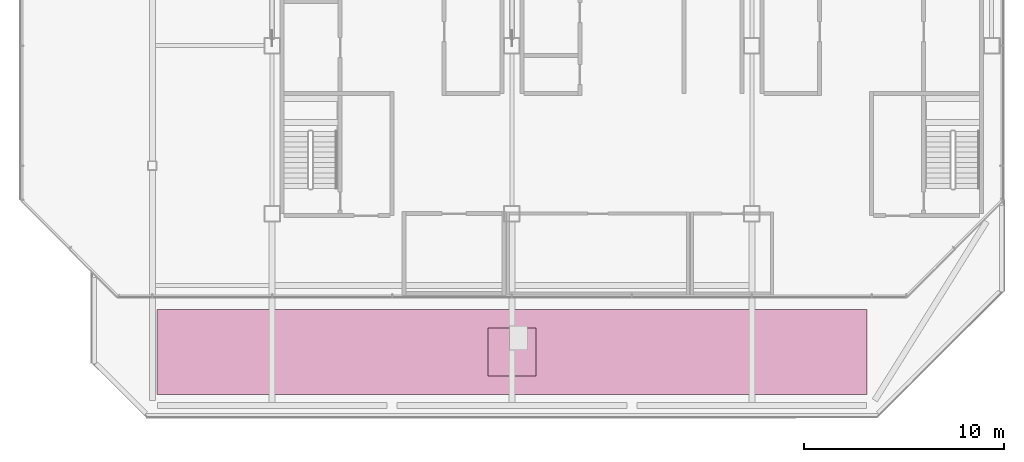
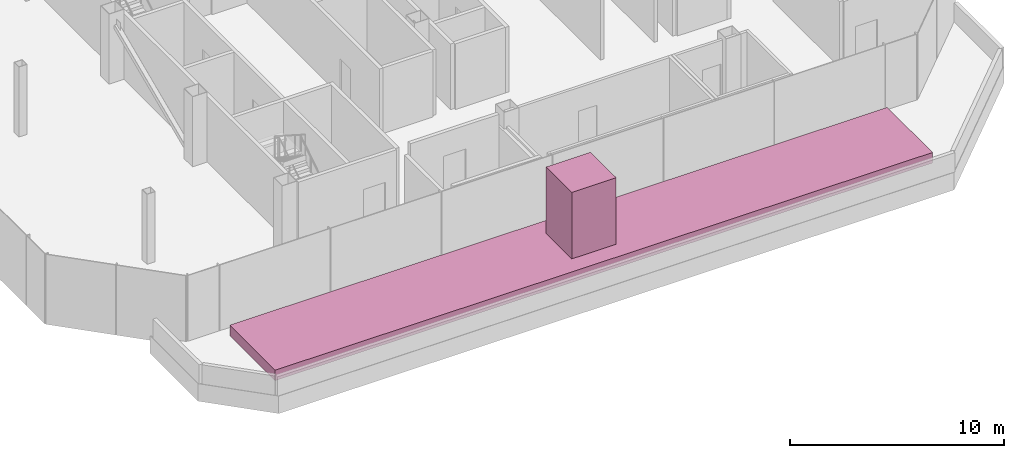
# One storey, part 18 of 18: 2 furniture elements.
"""IFC4 building model written with IfcOpenShell, lengths in metres."""

from ifc_helpers import new_model, si_unit, direction, frame, origin, origin_2d, place, context, subcontext, project, spatial, rectangle, extrude, material, type_object, element, save


model = new_model("IFC4")

# Units and contexts
model_context = context("Model", 3, precision=1e-05, world=origin(), true_north=direction((0.0, 1.0)))
body_context = subcontext(model_context, "Body", "Model", "MODEL_VIEW")
ifc_project = project(units=[si_unit("LENGTHUNIT", "METRE"), si_unit("AREAUNIT", "SQUARE_METRE"), si_unit("VOLUMEUNIT", "CUBIC_METRE"), si_unit("PLANEANGLEUNIT", "RADIAN"), si_unit("MASSUNIT", "GRAM", prefix="KILO")], contexts=[model_context])

# Site, building, storey
site_placement = place(None, origin())
site = spatial("IfcSite", under=ifc_project, at=site_placement, CompositionType="ELEMENT")
building_placement = place(site_placement, origin())
building = spatial("IfcBuilding", under=site, at=building_placement, Name="Sorahane Residences", CompositionType="ELEMENT")
storey_placement = place(building_placement, frame((0.0, 0.0, 345.800048828125)))
storey = spatial("IfcBuildingStorey", under=building, at=storey_placement, Name="L82", CompositionType="ELEMENT", Elevation=345.800048828125)

# Furniture
ifc_material_1 = material(Name="Planting soil with shrubs in a steel-framed bed", Category="steel")
furniture_type_1 = type_object("IfcFurnitureType", Name="PLANTER bed black steel frame with soil 35544x4250", AssemblyPlace="NOTDEFINED", PredefinedType="NOTDEFINED", material=ifc_material_1)
furniture_1_placement = place(storey_placement, frame((18.0, 14.675048828125, 0.0), z_axis=(0.0, 0.0, 1.0), x_axis=(1.0, 0.0, 0.0)))
element("IfcFurniture", 1, at=furniture_1_placement, inside=storey, type_object=furniture_type_1, Name="PLANTER bed L82.1.1", PredefinedType="NOTDEFINED", context=body_context, shape_type="SweptSolid", body=[
    extrude(rectangle(XDim=35.54443359375, YDim=4.25, at=origin_2d()), origin(), (0.0, 0.0, 1.0), 0.60009765625),
])
ifc_material_2 = material(Name="Green foliage shrub planting")
furniture_type_2 = type_object("IfcFurnitureType", Name="PLANTER shrub planting green foliage", AssemblyPlace="NOTDEFINED", PredefinedType="NOTDEFINED", material=ifc_material_2)
furniture_2_placement = place(storey_placement, frame((18.0, 14.675048828125, 0.60009765625), z_axis=(0.0, 0.0, 1.0), x_axis=(1.0, 0.0, 0.0)))
element("IfcFurniture", 2, at=furniture_2_placement, inside=storey, type_object=furniture_type_2, Name="PLANTER shrub L82.1.1", PredefinedType="NOTDEFINED", context=body_context, shape_type="SweptSolid", body=[
    extrude(rectangle(XDim=2.39990234375, YDim=2.39990234375, at=origin_2d()), origin(), (0.0, 0.0, 1.0), 3.800048828125),
])

save(model, "model.ifc")
